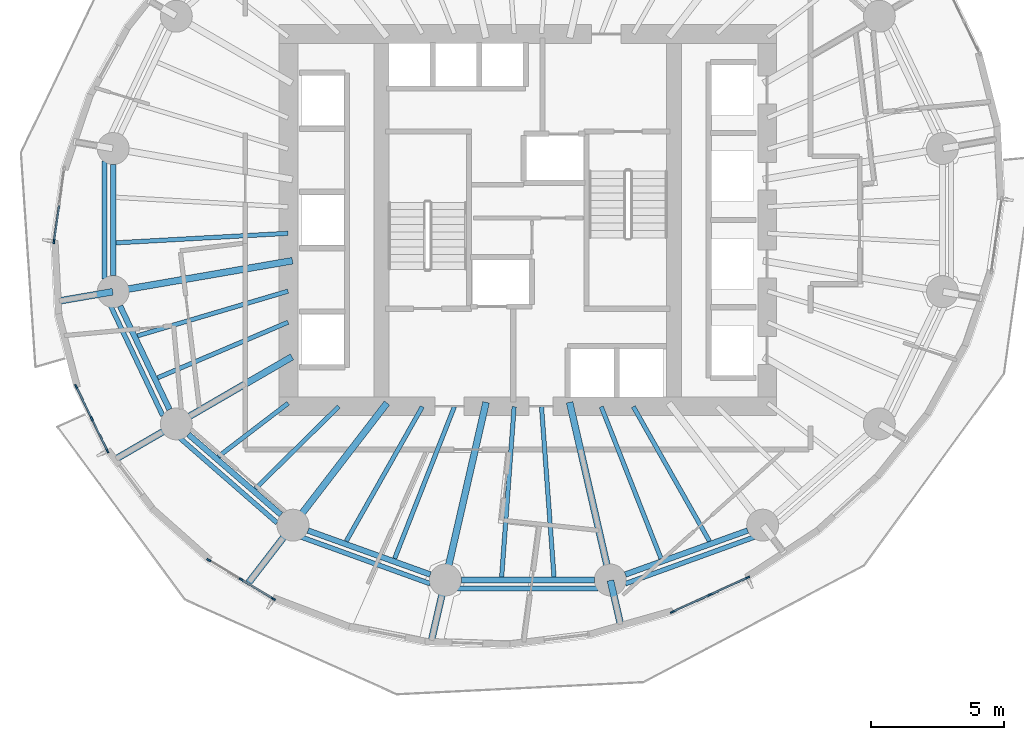
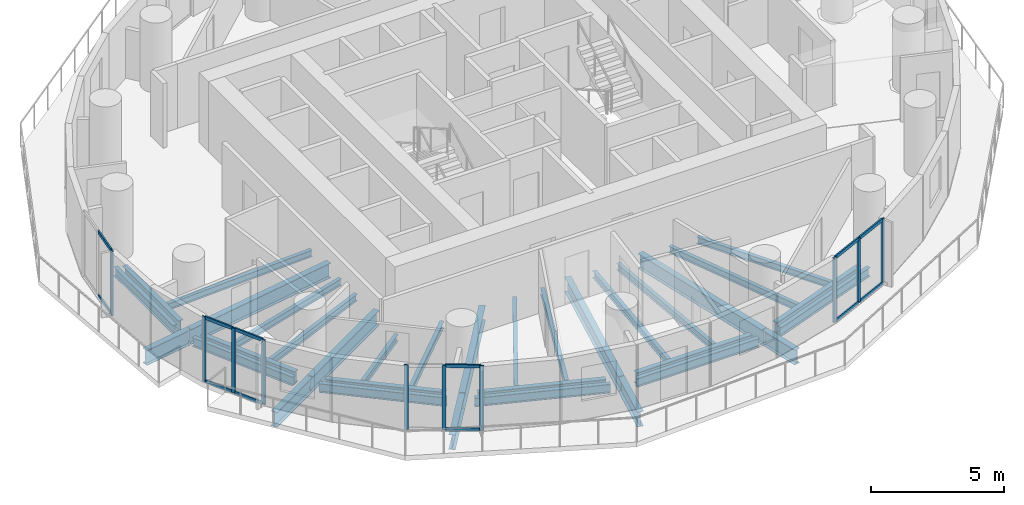
# One storey, part 2 of 14: 33 beams, 22 members, 4 elements without a shape of their own.
"""IFC4 building model written with IfcOpenShell, lengths in metres."""

from ifc_helpers import new_model, si_unit, direction, frame, origin, origin_2d, place, context, subcontext, project, spatial, rectangle, i_section, extrude, material, material_profile, profile_set, type_object, element, aggregate, save


model = new_model("IFC4")

# Units and contexts
model_context = context("Model", 3, precision=1e-05, world=origin(), true_north=direction((0.0, 1.0)))
body_context = subcontext(model_context, "Body", "Model", "MODEL_VIEW")
ifc_project = project(units=[si_unit("LENGTHUNIT", "METRE"), si_unit("AREAUNIT", "SQUARE_METRE"), si_unit("VOLUMEUNIT", "CUBIC_METRE"), si_unit("PLANEANGLEUNIT", "RADIAN"), si_unit("MASSUNIT", "GRAM", prefix="KILO")], contexts=[model_context])

# Site, building, storey
site_placement = place(None, origin())
site = spatial("IfcSite", under=ifc_project, at=site_placement, CompositionType="ELEMENT")
building_placement = place(site_placement, origin())
building = spatial("IfcBuilding", under=site, at=building_placement, Name="Veldorim Arch Residences", CompositionType="ELEMENT")
storey_placement = place(building_placement, frame((0.0, 0.0, 83.679931640625)))
storey = spatial("IfcBuildingStorey", under=building, at=storey_placement, Name="L24", CompositionType="ELEMENT", Elevation=83.679931640625)

# Beams
ifc_material_1 = material(Name="Steel S355", Category="steel")
ifc_material_profile_1 = material_profile(ifc_material_1, i_section(OverallWidth=0.2119140625, OverallDepth=0.54443359375, WebThickness=0.0126953125, FlangeThickness=0.021240234375, at=origin_2d()), Name="UB533x210x122")
ifc_profile_set_1 = profile_set([ifc_material_profile_1], Name="Steel S355")
beam_type_1 = type_object("IfcBeamType", Name="Structural Steel Beam UB533x210x122", PredefinedType="BEAM", material=ifc_profile_set_1)
beam_1_placement = place(storey_placement, frame((16.405517578125, 26.09228515625, -0.51220703125), z_axis=(0.0, -1.0, 0.0), x_axis=(1.0, 0.0, 0.0)))
element("IfcBeam", 1, at=beam_1_placement, inside=storey, type_object=beam_type_1, Name="L24 perimeter ring tie beam 08", PredefinedType="BEAM", context=body_context, shape_type="SweptSolid", body=[
    extrude(i_section(OverallWidth=0.2119140625, OverallDepth=0.54443359375, WebThickness=0.0126953125, FlangeThickness=0.021240234375, at=origin_2d()), origin(), (0.0, 0.0, 1.0), 4.1845703125),
])
beam_2_placement = place(storey_placement, frame((16.663818359375, 20.766357421875, -0.51220703125), z_axis=(0.430720154476, -0.902485539235, 0.0), x_axis=(0.902485539235, 0.430720154476, 0.0)))
element("IfcBeam", 2, at=beam_2_placement, inside=storey, type_object=beam_type_1, Name="L24 perimeter ring tie beam 09", PredefinedType="BEAM", context=body_context, shape_type="SweptSolid", body=[
    extrude(i_section(OverallWidth=0.2119140625, OverallDepth=0.54443359375, WebThickness=0.0126953125, FlangeThickness=0.021240234375, at=origin_2d()), origin(), (0.0, 0.0, 1.0), 4.312255859375),
])
beam_3_placement = place(storey_placement, frame((19.232666015625, 15.939697265625, -0.51220703125), z_axis=(0.755244952556, -0.655442645576, 0.0), x_axis=(0.655442645576, 0.755244952556, 0.0)))
element("IfcBeam", 3, at=beam_3_placement, inside=storey, type_object=beam_type_1, Name="L24 perimeter ring tie beam 10", PredefinedType="BEAM", context=body_context, shape_type="SweptSolid", body=[
    extrude(i_section(OverallWidth=0.2119140625, OverallDepth=0.54443359375, WebThickness=0.0126953125, FlangeThickness=0.021240234375, at=origin_2d()), origin(), (0.0, 0.0, 1.0), 4.608642578125),
])
beam_4_placement = place(storey_placement, frame((23.73095703125, 12.32275390625, -0.51220703125), z_axis=(0.941041944493, -0.338289903343, 0.0), x_axis=(0.338289903343, 0.941041944493, 0.0)))
element("IfcBeam", 4, at=beam_4_placement, inside=storey, type_object=beam_type_1, Name="L24 perimeter ring tie beam 11", PredefinedType="BEAM", context=body_context, shape_type="SweptSolid", body=[
    extrude(i_section(OverallWidth=0.2119140625, OverallDepth=0.54443359375, WebThickness=0.0126953125, FlangeThickness=0.021240234375, at=origin_2d()), origin(), (0.0, 0.0, 1.0), 4.890869140625),
])
beam_5_placement = place(storey_placement, frame((29.498046875, 10.465087890625, -0.51220703125), z_axis=(1.0, 0.0, 0.0), x_axis=(0.0, 1.0, 0.0)))
element("IfcBeam", 5, at=beam_5_placement, inside=storey, type_object=beam_type_1, Name="L24 perimeter ring tie beam 12", PredefinedType="BEAM", context=body_context, shape_type="SweptSolid", body=[
    extrude(i_section(OverallWidth=0.2119140625, OverallDepth=0.54443359375, WebThickness=0.0126953125, FlangeThickness=0.021240234375, at=origin_2d()), origin(), (0.0, 0.0, 1.0), 5.00390625),
])
beam_6_placement = place(storey_placement, frame((35.66650390625, 10.668212890625, -0.51220703125), z_axis=(0.941041944493, 0.338289903343, 0.0), x_axis=(-0.338289903343, 0.941041944493, 0.0)))
element("IfcBeam", 6, at=beam_6_placement, inside=storey, type_object=beam_type_1, Name="L24 perimeter ring tie beam 13", PredefinedType="BEAM", context=body_context, shape_type="SweptSolid", body=[
    extrude(i_section(OverallWidth=0.2119140625, OverallDepth=0.54443359375, WebThickness=0.0126953125, FlangeThickness=0.021240234375, at=origin_2d()), origin(), (0.0, 0.0, 1.0), 4.890869140625),
])
ifc_material_2 = material(Name="Steel S355", Category="steel")
ifc_material_profile_2 = material_profile(ifc_material_2, i_section(OverallWidth=0.25439453125, OverallDepth=0.6875, WebThickness=0.01318359375, FlangeThickness=0.02099609375, at=origin_2d()), Name="UB686x254x152")
ifc_profile_set_2 = profile_set([ifc_material_profile_2], Name="Steel S355")
beam_type_2 = type_object("IfcBeamType", Name="Structural Steel GIRDER UB686x254x152", PredefinedType="USERDEFINED", material=ifc_profile_set_2)
beam_7_placement = place(storey_placement, frame((23.147705078125, 22.4716796875, -0.583740234375), z_axis=(-0.985426622718, -0.17010106184, 0.0), x_axis=(0.17010106184, -0.985426622718, 0.0)))
element("IfcBeam", 7, at=beam_7_placement, inside=storey, type_object=beam_type_2, Name="L24 radial floor girder 09", ObjectType="GIRDER", PredefinedType="USERDEFINED", context=body_context, shape_type="SweptSolid", body=[
    extrude(i_section(OverallWidth=0.25439453125, OverallDepth=0.6875, WebThickness=0.01318359375, FlangeThickness=0.02099609375, at=origin_2d()), origin(), (0.0, 0.0, 1.0), 6.82177734375),
])
beam_8_placement = place(storey_placement, frame((16.3857421875, 21.304443359375, -0.583740234375), z_axis=(-0.985423467948, -0.170119336988, 0.0), x_axis=(0.170119336988, -0.985423467948, 0.0)))
element("IfcBeam", 8, at=beam_8_placement, inside=storey, type_object=beam_type_2, Name="L24 radial edge cantilever girder 09", ObjectType="GIRDER", PredefinedType="USERDEFINED", context=body_context, shape_type="SweptSolid", body=[
    extrude(i_section(OverallWidth=0.25439453125, OverallDepth=0.6875, WebThickness=0.01318359375, FlangeThickness=0.02099609375, at=origin_2d()), origin(), (0.0, 0.0, 1.0), 2.11669921875),
])
beam_9_placement = place(storey_placement, frame((23.1298828125, 18.85595703125, -0.583740234375), z_axis=(-0.865048957682, -0.501687453314, 0.0), x_axis=(0.501687453314, -0.865048957682, 0.0)))
element("IfcBeam", 9, at=beam_9_placement, inside=storey, type_object=beam_type_2, Name="L24 radial floor girder 10", ObjectType="GIRDER", PredefinedType="USERDEFINED", context=body_context, shape_type="SweptSolid", body=[
    extrude(i_section(OverallWidth=0.25439453125, OverallDepth=0.6875, WebThickness=0.01318359375, FlangeThickness=0.02099609375, at=origin_2d()), origin(), (0.0, 0.0, 1.0), 5.009033203125),
])
beam_10_placement = place(storey_placement, frame((18.76220703125, 16.322998046875, -0.583740234375), z_axis=(-0.865063665573, -0.501662091956, 0.0), x_axis=(0.501662091956, -0.865063665573, 0.0)))
element("IfcBeam", 10, at=beam_10_placement, inside=storey, type_object=beam_type_2, Name="L24 radial edge cantilever girder 10", ObjectType="GIRDER", PredefinedType="USERDEFINED", context=body_context, shape_type="SweptSolid", body=[
    extrude(i_section(OverallWidth=0.25439453125, OverallDepth=0.6875, WebThickness=0.01318359375, FlangeThickness=0.02099609375, at=origin_2d()), origin(), (0.0, 0.0, 1.0), 2.67529296875),
])
beam_11_placement = place(storey_placement, frame((26.702392578125, 17.118896484375, -0.583740234375), z_axis=(-0.609994628196, -0.792405548676, 0.0), x_axis=(0.792405548676, -0.609994628196, 0.0)))
element("IfcBeam", 11, at=beam_11_placement, inside=storey, type_object=beam_type_2, Name="L24 radial floor girder 11", ObjectType="GIRDER", PredefinedType="USERDEFINED", context=body_context, shape_type="SweptSolid", body=[
    extrude(i_section(OverallWidth=0.25439453125, OverallDepth=0.6875, WebThickness=0.01318359375, FlangeThickness=0.02099609375, at=origin_2d()), origin(), (0.0, 0.0, 1.0), 5.776611328125),
])
beam_12_placement = place(storey_placement, frame((23.154296875, 12.510009765625, -0.583740234375), z_axis=(-0.610003108496, -0.792399020459, 0.0), x_axis=(0.792399020459, -0.610003108496, 0.0)))
element("IfcBeam", 12, at=beam_12_placement, inside=storey, type_object=beam_type_2, Name="L24 radial edge cantilever girder 11", ObjectType="GIRDER", PredefinedType="USERDEFINED", context=body_context, shape_type="SweptSolid", body=[
    extrude(i_section(OverallWidth=0.25439453125, OverallDepth=0.6875, WebThickness=0.01318359375, FlangeThickness=0.02099609375, at=origin_2d()), origin(), (0.0, 0.0, 1.0), 2.743896484375),
])
beam_13_placement = place(storey_placement, frame((30.42919921875, 17.146240234375, -0.583740234375), z_axis=(-0.223374742148, -0.97473264261, 0.0), x_axis=(0.97473264261, -0.223374742148, 0.0)))
element("IfcBeam", 13, at=beam_13_placement, inside=storey, type_object=beam_type_2, Name="L24 radial floor girder 12", ObjectType="GIRDER", PredefinedType="USERDEFINED", context=body_context, shape_type="SweptSolid", body=[
    extrude(i_section(OverallWidth=0.25439453125, OverallDepth=0.6875, WebThickness=0.01318359375, FlangeThickness=0.02099609375, at=origin_2d()), origin(), (0.0, 0.0, 1.0), 6.834228515625),
])
beam_14_placement = place(storey_placement, frame((28.8935546875, 10.44580078125, -0.583740234375), z_axis=(-0.223325717101, -0.974743876145, 0.0), x_axis=(0.974743876145, -0.223325717101, 0.0)))
element("IfcBeam", 14, at=beam_14_placement, inside=storey, type_object=beam_type_2, Name="L24 radial edge cantilever girder 12", ObjectType="GIRDER", PredefinedType="USERDEFINED", context=body_context, shape_type="SweptSolid", body=[
    extrude(i_section(OverallWidth=0.25439453125, OverallDepth=0.6875, WebThickness=0.01318359375, FlangeThickness=0.02099609375, at=origin_2d()), origin(), (0.0, 0.0, 1.0), 2.395263671875),
])
beam_15_placement = place(storey_placement, frame((33.57080078125, 17.146240234375, -0.583740234375), z_axis=(0.223374742148, -0.97473264261, 0.0), x_axis=(0.97473264261, 0.223374742148, 0.0)))
element("IfcBeam", 15, at=beam_15_placement, inside=storey, type_object=beam_type_2, Name="L24 radial floor girder 13", ObjectType="GIRDER", PredefinedType="USERDEFINED", context=body_context, shape_type="SweptSolid", body=[
    extrude(i_section(OverallWidth=0.25439453125, OverallDepth=0.6875, WebThickness=0.01318359375, FlangeThickness=0.02099609375, at=origin_2d()), origin(), (0.0, 0.0, 1.0), 6.834228515625),
])
beam_16_placement = place(storey_placement, frame((35.1064453125, 10.44580078125, -0.583740234375), z_axis=(0.223398006298, -0.974727310986, 0.0), x_axis=(0.974727310986, 0.223398006298, 0.0)))
element("IfcBeam", 16, at=beam_16_placement, inside=storey, type_object=beam_type_2, Name="L24 radial edge cantilever girder 13", ObjectType="GIRDER", PredefinedType="USERDEFINED", context=body_context, shape_type="SweptSolid", body=[
    extrude(i_section(OverallWidth=0.25439453125, OverallDepth=0.6875, WebThickness=0.01318359375, FlangeThickness=0.02099609375, at=origin_2d()), origin(), (0.0, 0.0, 1.0), 1.769287109375),
])
ifc_material_3 = material(Name="Steel S355", Category="steel")
ifc_material_profile_3 = material_profile(ifc_material_3, i_section(OverallWidth=0.165771484375, OverallDepth=0.306640625, WebThickness=0.006591796875, FlangeThickness=0.01171875, at=origin_2d()), Name="UB305x165x46")
ifc_profile_set_3 = profile_set([ifc_material_profile_3], Name="Steel S355")
beam_type_3 = type_object("IfcBeamType", Name="Structural Steel Joist UB305x165x46", PredefinedType="JOIST", material=ifc_profile_set_3)
beam_17_placement = place(storey_placement, frame((22.97998046875, 23.501708984375, -0.393310546875), z_axis=(-0.99847713097, -0.055167190702, 0.0), x_axis=(0.055167190702, -0.99847713097, 0.0)))
element("IfcBeam", 17, at=beam_17_placement, inside=storey, type_object=beam_type_3, Name="L24 secondary radial floor joist 08-2", PredefinedType="JOIST", context=body_context, shape_type="SweptSolid", body=[
    extrude(i_section(OverallWidth=0.165771484375, OverallDepth=0.306640625, WebThickness=0.006591796875, FlangeThickness=0.01171875, at=origin_2d()), origin(), (0.0, 0.0, 1.0), 6.474365234375),
])
beam_18_placement = place(storey_placement, frame((22.980712890625, 21.326416015625, -0.393310546875), z_axis=(-0.958753061488, -0.284240333324, 0.0), x_axis=(0.284240333324, -0.958753061488, 0.0)))
element("IfcBeam", 18, at=beam_18_placement, inside=storey, type_object=beam_type_3, Name="L24 secondary radial floor joist 09-1", PredefinedType="JOIST", context=body_context, shape_type="SweptSolid", body=[
    extrude(i_section(OverallWidth=0.165771484375, OverallDepth=0.306640625, WebThickness=0.006591796875, FlangeThickness=0.01171875, at=origin_2d()), origin(), (0.0, 0.0, 1.0), 5.906005859375),
])
beam_19_placement = place(storey_placement, frame((22.981689453125, 20.158447265625, -0.393310546875), z_axis=(-0.919997395122, -0.391924473552, 0.0), x_axis=(0.391924473552, -0.919997395122, 0.0)))
element("IfcBeam", 19, at=beam_19_placement, inside=storey, type_object=beam_type_3, Name="L24 secondary radial floor joist 09-2", PredefinedType="JOIST", context=body_context, shape_type="SweptSolid", body=[
    extrude(i_section(OverallWidth=0.165771484375, OverallDepth=0.306640625, WebThickness=0.006591796875, FlangeThickness=0.01171875, at=origin_2d()), origin(), (0.0, 0.0, 1.0), 5.334716796875),
])
beam_20_placement = place(storey_placement, frame((22.984130859375, 17.111572265625, -0.393310546875), z_axis=(-0.794594763594, -0.60714014994, 0.0), x_axis=(0.60714014994, -0.794594763594, 0.0)))
element("IfcBeam", 20, at=beam_20_placement, inside=storey, type_object=beam_type_3, Name="L24 secondary radial floor joist 10-1", PredefinedType="JOIST", context=body_context, shape_type="SweptSolid", body=[
    extrude(i_section(OverallWidth=0.165771484375, OverallDepth=0.306640625, WebThickness=0.006591796875, FlangeThickness=0.01171875, at=origin_2d()), origin(), (0.0, 0.0, 1.0), 3.30419921875),
])
beam_21_placement = place(storey_placement, frame((24.885986328125, 16.986083984375, -0.393310546875), z_axis=(-0.712111629941, -0.702066255066, 0.0), x_axis=(0.702066255066, -0.712111629941, 0.0)))
element("IfcBeam", 21, at=beam_21_placement, inside=storey, type_object=beam_type_3, Name="L24 secondary radial floor joist 10-2", PredefinedType="JOIST", context=body_context, shape_type="SweptSolid", body=[
    extrude(i_section(OverallWidth=0.165771484375, OverallDepth=0.306640625, WebThickness=0.006591796875, FlangeThickness=0.01171875, at=origin_2d()), origin(), (0.0, 0.0, 1.0), 4.39892578125),
])
beam_22_placement = place(storey_placement, frame((28.03173828125, 16.982666015625, -0.393310546875), z_axis=(-0.492227411199, -0.870466642476, 0.0), x_axis=(0.870466642476, -0.492227411199, 0.0)))
element("IfcBeam", 22, at=beam_22_placement, inside=storey, type_object=beam_type_3, Name="L24 secondary radial floor joist 11-1", PredefinedType="JOIST", context=body_context, shape_type="SweptSolid", body=[
    extrude(i_section(OverallWidth=0.165771484375, OverallDepth=0.306640625, WebThickness=0.006591796875, FlangeThickness=0.01171875, at=origin_2d()), origin(), (0.0, 0.0, 1.0), 5.81494140625),
])
beam_23_placement = place(storey_placement, frame((29.238037109375, 16.9814453125, -0.393310546875), z_axis=(-0.366194870364, -0.930538186707, 0.0), x_axis=(0.930538186707, -0.366194870364, 0.0)))
element("IfcBeam", 23, at=beam_23_placement, inside=storey, type_object=beam_type_3, Name="L24 secondary radial floor joist 11-2", PredefinedType="JOIST", context=body_context, shape_type="SweptSolid", body=[
    extrude(i_section(OverallWidth=0.165771484375, OverallDepth=0.306640625, WebThickness=0.006591796875, FlangeThickness=0.01171875, at=origin_2d()), origin(), (0.0, 0.0, 1.0), 6.1396484375),
])
for number, where, z_axis, x_axis, name in (
    (24, (31.485107421875, 16.97998046875, -0.393310546875), (-0.073143494169, -0.997321427254, 0.0), (0.997321427254, -0.073143494169, 0.0), "L24 secondary radial floor joist 12-1"),
    (25, (32.514892578125, 16.97998046875, -0.393310546875), (0.073143494169, -0.997321427254, 0.0), (0.997321427254, 0.073143494169, 0.0), "L24 secondary radial floor joist 12-2"),
):
    element("IfcBeam", number, at=place(storey_placement, frame(where, z_axis=z_axis, x_axis=x_axis)), inside=storey, type_object=beam_type_3, Name=name, PredefinedType="JOIST", context=body_context, shape_type="SweptSolid", body=[
        extrude(i_section(OverallWidth=0.165771484375, OverallDepth=0.306640625, WebThickness=0.006591796875, FlangeThickness=0.01171875, at=origin_2d()), origin(), (0.0, 0.0, 1.0), 6.421875),
    ])
beam_24_placement = place(storey_placement, frame((34.761962890625, 16.9814453125, -0.393310546875), z_axis=(0.366194870364, -0.930538186707, 0.0), x_axis=(0.930538186707, 0.366194870364, 0.0)))
element("IfcBeam", 26, at=beam_24_placement, inside=storey, type_object=beam_type_3, Name="L24 secondary radial floor joist 13-1", PredefinedType="JOIST", context=body_context, shape_type="SweptSolid", body=[
    extrude(i_section(OverallWidth=0.165771484375, OverallDepth=0.306640625, WebThickness=0.006591796875, FlangeThickness=0.01171875, at=origin_2d()), origin(), (0.0, 0.0, 1.0), 6.1396484375),
])
beam_25_placement = place(storey_placement, frame((35.96826171875, 16.982666015625, -0.393310546875), z_axis=(0.492227411199, -0.870466642476, 0.0), x_axis=(0.870466642476, 0.492227411199, 0.0)))
element("IfcBeam", 27, at=beam_25_placement, inside=storey, type_object=beam_type_3, Name="L24 secondary radial floor joist 13-2", PredefinedType="JOIST", context=body_context, shape_type="SweptSolid", body=[
    extrude(i_section(OverallWidth=0.165771484375, OverallDepth=0.306640625, WebThickness=0.006591796875, FlangeThickness=0.01171875, at=origin_2d()), origin(), (0.0, 0.0, 1.0), 5.81494140625),
])
ifc_material_4 = material(Name="Steel S355", Category="steel")
ifc_material_profile_4 = material_profile(ifc_material_4, i_section(OverallWidth=0.1787109375, OverallDepth=0.409423828125, WebThickness=0.0087890625, FlangeThickness=0.014404296875, at=origin_2d()), Name="UB406x178x67")
ifc_profile_set_4 = profile_set([ifc_material_profile_4], Name="Steel S355")
beam_type_4 = type_object("IfcBeamType", Name="Structural Steel Spandrel UB406x178x67", PredefinedType="SPANDREL", material=ifc_profile_set_4)
beam_26_placement = place(storey_placement, frame((16.080322265625, 26.22021484375, -0.464599609375), z_axis=(0.0, -1.0, 0.0), x_axis=(1.0, 0.0, 0.0)))
element("IfcBeam", 28, at=beam_26_placement, inside=storey, type_object=beam_type_4, Name="L24 perimeter chord spandrel beam 08", PredefinedType="SPANDREL", context=body_context, shape_type="SweptSolid", body=[
    extrude(i_section(OverallWidth=0.1787109375, OverallDepth=0.409423828125, WebThickness=0.0087890625, FlangeThickness=0.014404296875, at=origin_2d()), origin(), (0.0, 0.0, 1.0), 4.4404296875),
])
beam_27_placement = place(storey_placement, frame((16.306884765625, 20.774658203125, -0.464599609375), z_axis=(0.428857472204, -0.903372165021, 0.0), x_axis=(0.903372165021, 0.428857472204, 0.0)))
element("IfcBeam", 29, at=beam_27_placement, inside=storey, type_object=beam_type_4, Name="L24 perimeter chord spandrel beam 09", PredefinedType="SPANDREL", context=body_context, shape_type="SweptSolid", body=[
    extrude(i_section(OverallWidth=0.1787109375, OverallDepth=0.409423828125, WebThickness=0.0087890625, FlangeThickness=0.014404296875, at=origin_2d()), origin(), (0.0, 0.0, 1.0), 4.572021484375),
])
beam_28_placement = place(storey_placement, frame((18.891845703125, 15.8203125, -0.464599609375), z_axis=(0.753323239074, -0.65765043714, 0.0), x_axis=(0.65765043714, 0.753323239074, 0.0)))
element("IfcBeam", 30, at=beam_28_placement, inside=storey, type_object=beam_type_4, Name="L24 perimeter chord spandrel beam 10", PredefinedType="SPANDREL", context=body_context, shape_type="SweptSolid", body=[
    extrude(i_section(OverallWidth=0.1787109375, OverallDepth=0.409423828125, WebThickness=0.0087890625, FlangeThickness=0.014404296875, at=origin_2d()), origin(), (0.0, 0.0, 1.0), 4.879150390625),
])
beam_29_placement = place(storey_placement, frame((23.461669921875, 12.08447265625, -0.464599609375), z_axis=(0.940307501418, -0.340326024244, 0.0), x_axis=(0.340326024244, 0.940307501418, 0.0)))
element("IfcBeam", 31, at=beam_29_placement, inside=storey, type_object=beam_type_4, Name="L24 perimeter chord spandrel beam 11", PredefinedType="SPANDREL", context=body_context, shape_type="SweptSolid", body=[
    extrude(i_section(OverallWidth=0.1787109375, OverallDepth=0.409423828125, WebThickness=0.0087890625, FlangeThickness=0.014404296875, at=origin_2d()), origin(), (0.0, 0.0, 1.0), 5.175048828125),
])
beam_30_placement = place(storey_placement, frame((29.352294921875, 10.1435546875, -0.464599609375), z_axis=(1.0, 0.0, 0.0), x_axis=(0.0, 1.0, 0.0)))
element("IfcBeam", 32, at=beam_30_placement, inside=storey, type_object=beam_type_4, Name="L24 perimeter chord spandrel beam 12", PredefinedType="SPANDREL", context=body_context, shape_type="SweptSolid", body=[
    extrude(i_section(OverallWidth=0.1787109375, OverallDepth=0.409423828125, WebThickness=0.0087890625, FlangeThickness=0.014404296875, at=origin_2d()), origin(), (0.0, 0.0, 1.0), 5.29541015625),
])
beam_31_placement = place(storey_placement, frame((35.672119140625, 10.3232421875, -0.464599609375), z_axis=(0.940307501418, 0.340326024244, 0.0), x_axis=(-0.340326024244, 0.940307501418, 0.0)))
element("IfcBeam", 33, at=beam_31_placement, inside=storey, type_object=beam_type_4, Name="L24 perimeter chord spandrel beam 13", PredefinedType="SPANDREL", context=body_context, shape_type="SweptSolid", body=[
    extrude(i_section(OverallWidth=0.1787109375, OverallDepth=0.409423828125, WebThickness=0.0087890625, FlangeThickness=0.014404296875, at=origin_2d()), origin(), (0.0, 0.0, 1.0), 5.175048828125),
])

# Curtain wall, member
ifc_material_5 = material(Name="Aluminium", Category="aluminium")
curtain_wall_type = type_object("IfcCurtainWallType", Name="Zone 2 Solar-Control Unitised Curtain Wall", PredefinedType="NOTDEFINED", material=ifc_material_5)
curtain_wall_1_placement = place(storey_placement, origin())
curtain_wall_1 = element("IfcCurtainWall", 34, at=curtain_wall_1_placement, inside=storey, type_object=curtain_wall_type, Name="L24 unitised curtain wall bay 16", PredefinedType="NOTDEFINED")
ifc_material_6 = material(Name="Aluminium", Category="aluminium")
ifc_material_profile_5 = material_profile(ifc_material_6, rectangle(XDim=0.06494140625, YDim=0.1650390625, at=origin_2d()), Name="ALU_MUL_65x165")
ifc_profile_set_5 = profile_set([ifc_material_profile_5], Name="Aluminium")
member_type_1 = type_object("IfcMemberType", Name="Zone 2 Solar-Control Unitised Curtain Wall Mullion 65x165", PredefinedType="MULLION", material=ifc_profile_set_5)
member_1_placement = place(storey_placement, frame((14.1767578125, 23.197998046875, 0.0), z_axis=(0.0, 0.0, 1.0), x_axis=(-0.990070536302, 0.140571452105, 0.0)))
member_1 = element("IfcMember", 35, at=member_1_placement, type_object=member_type_1, Name="CW-Z2 mullion 1", PredefinedType="MULLION", context=body_context, shape_type="SweptSolid", body=[
    extrude(rectangle(XDim=0.06494140625, YDim=0.1650390625, at=origin_2d()), origin(), (0.0, 0.0, 1.0), 2.9599609375),
])

# Curtain wall, members
curtain_wall_2_placement = place(storey_placement, origin())
curtain_wall_2 = element("IfcCurtainWall", 36, at=curtain_wall_2_placement, inside=storey, type_object=curtain_wall_type, Name="L24 unitised curtain wall bay 19", PredefinedType="NOTDEFINED")
member_2_placement = place(storey_placement, frame((16.18701171875, 15.315673828125, 0.0), z_axis=(0.0, 0.0, 1.0), x_axis=(-0.89943933332, -0.437045633403, 0.0)))
member_2 = element("IfcMember", 37, at=member_2_placement, type_object=member_type_1, Name="CW-Z2 mullion 1", PredefinedType="MULLION", context=body_context, shape_type="SweptSolid", body=[
    extrude(rectangle(XDim=0.06494140625, YDim=0.1650390625, at=origin_2d()), origin(), (0.0, 0.0, 1.0), 2.9599609375),
])
member_3_placement = place(storey_placement, frame((15.598388671875, 16.526611328125, 0.0), z_axis=(0.0, 0.0, 1.0), x_axis=(-0.89943933332, -0.437045633403, 0.0)))
member_3 = element("IfcMember", 38, at=member_3_placement, type_object=member_type_1, Name="CW-Z2 mullion 2", PredefinedType="MULLION", context=body_context, shape_type="SweptSolid", body=[
    extrude(rectangle(XDim=0.06494140625, YDim=0.1650390625, at=origin_2d()), origin(), (0.0, 0.0, 1.0), 2.9599609375),
])
member_4_placement = place(storey_placement, frame((15.010009765625, 17.737548828125, 0.0), z_axis=(0.0, 0.0, 1.0), x_axis=(-0.89943933332, -0.437045633403, 0.0)))
member_4 = element("IfcMember", 39, at=member_4_placement, type_object=member_type_1, Name="CW-Z2 mullion 3", PredefinedType="MULLION", context=body_context, shape_type="SweptSolid", body=[
    extrude(rectangle(XDim=0.06494140625, YDim=0.1650390625, at=origin_2d()), origin(), (0.0, 0.0, 1.0), 2.9599609375),
])

curtain_wall_3_placement = place(storey_placement, origin())
curtain_wall_3 = element("IfcCurtainWall", 40, at=curtain_wall_3_placement, inside=storey, type_object=curtain_wall_type, Name="L24 unitised curtain wall bay 22", PredefinedType="NOTDEFINED")
member_5_placement = place(storey_placement, frame((22.430908203125, 9.755126953125, 0.0), z_axis=(0.0, 0.0, 1.0), x_axis=(-0.514313089023, -0.857602499098, 0.0)))
member_5 = element("IfcMember", 41, at=member_5_placement, type_object=member_type_1, Name="CW-Z2 mullion 1", PredefinedType="MULLION", context=body_context, shape_type="SweptSolid", body=[
    extrude(rectangle(XDim=0.06494140625, YDim=0.1650390625, at=origin_2d()), origin(), (0.0, 0.0, 1.0), 2.9599609375),
])
member_6_placement = place(storey_placement, frame((21.2158203125, 10.483642578125, 0.0), z_axis=(0.0, 0.0, 1.0), x_axis=(-0.514313089023, -0.857602499098, 0.0)))
member_6 = element("IfcMember", 42, at=member_6_placement, type_object=member_type_1, Name="CW-Z2 mullion 2", PredefinedType="MULLION", context=body_context, shape_type="SweptSolid", body=[
    extrude(rectangle(XDim=0.06494140625, YDim=0.1650390625, at=origin_2d()), origin(), (0.0, 0.0, 1.0), 2.9599609375),
])
member_7_placement = place(storey_placement, frame((20.0009765625, 11.21240234375, 0.0), z_axis=(0.0, 0.0, 1.0), x_axis=(-0.514313089023, -0.857602499098, 0.0)))
member_7 = element("IfcMember", 43, at=member_7_placement, type_object=member_type_1, Name="CW-Z2 mullion 3", PredefinedType="MULLION", context=body_context, shape_type="SweptSolid", body=[
    extrude(rectangle(XDim=0.06494140625, YDim=0.1650390625, at=origin_2d()), origin(), (0.0, 0.0, 1.0), 2.9599609375),
])

curtain_wall_4_placement = place(storey_placement, origin())
curtain_wall_4 = element("IfcCurtainWall", 44, at=curtain_wall_4_placement, inside=storey, type_object=curtain_wall_type, Name="L24 unitised curtain wall bay 28", PredefinedType="NOTDEFINED")
member_8_placement = place(storey_placement, frame((40.262451171875, 10.551025390625, 0.0), z_axis=(0.0, 0.0, 1.0), x_axis=(0.414741699201, -0.909939186399, 0.0)))
member_8 = element("IfcMember", 45, at=member_8_placement, type_object=member_type_1, Name="CW-Z2 mullion 1", PredefinedType="MULLION", context=body_context, shape_type="SweptSolid", body=[
    extrude(rectangle(XDim=0.06494140625, YDim=0.1650390625, at=origin_2d()), origin(), (0.0, 0.0, 1.0), 2.9599609375),
])
member_9_placement = place(storey_placement, frame((38.85009765625, 9.9072265625, 0.0), z_axis=(0.0, 0.0, 1.0), x_axis=(0.414741699201, -0.909939186399, 0.0)))
member_9 = element("IfcMember", 46, at=member_9_placement, type_object=member_type_1, Name="CW-Z2 mullion 2", PredefinedType="MULLION", context=body_context, shape_type="SweptSolid", body=[
    extrude(rectangle(XDim=0.06494140625, YDim=0.1650390625, at=origin_2d()), origin(), (0.0, 0.0, 1.0), 2.9599609375),
])
member_10_placement = place(storey_placement, frame((37.437744140625, 9.263427734375, 0.0), z_axis=(0.0, 0.0, 1.0), x_axis=(0.414741699201, -0.909939186399, 0.0)))
member_10 = element("IfcMember", 47, at=member_10_placement, type_object=member_type_1, Name="CW-Z2 mullion 3", PredefinedType="MULLION", context=body_context, shape_type="SweptSolid", body=[
    extrude(rectangle(XDim=0.06494140625, YDim=0.1650390625, at=origin_2d()), origin(), (0.0, 0.0, 1.0), 2.9599609375),
])

# Member
ifc_material_7 = material(Name="Aluminium", Category="aluminium")
ifc_material_profile_6 = material_profile(ifc_material_7, rectangle(XDim=0.06494140625, YDim=0.14501953125, at=origin_2d()), Name="ALU_TRN_65x145")
ifc_profile_set_6 = profile_set([ifc_material_profile_6], Name="Aluminium")
member_type_2 = type_object("IfcMemberType", Name="Zone 2 Solar-Control Unitised Curtain Wall Transom 65x145", PredefinedType="USERDEFINED", material=ifc_profile_set_6)
member_11_placement = place(storey_placement, frame((14.18115234375, 23.230224609375, 0.032470703125), z_axis=(0.140644069109, 0.990060223332, 0.0), x_axis=(-0.990060223332, 0.140644069109, 0.0)))
member_11 = element("IfcMember", 48, at=member_11_placement, type_object=member_type_2, Name="CW-Z2 transom 1.1", ObjectType="TRANSOM", PredefinedType="USERDEFINED", context=body_context, shape_type="SweptSolid", body=[
    extrude(rectangle(XDim=0.06494140625, YDim=0.14501953125, at=origin_2d()), origin(), (0.0, 0.0, 1.0), 1.3193359375),
])

member_12_placement = place(storey_placement, frame((14.18115234375, 23.230224609375, 2.927490234375), z_axis=(0.140644069109, 0.990060223332, 0.0), x_axis=(-0.990060223332, 0.140644069109, 0.0)))
member_12 = element("IfcMember", 49, at=member_12_placement, type_object=member_type_2, Name="CW-Z2 transom 1.2", ObjectType="TRANSOM", PredefinedType="USERDEFINED", context=body_context, shape_type="SweptSolid", body=[
    extrude(rectangle(XDim=0.06494140625, YDim=0.14501953125, at=origin_2d()), origin(), (0.0, 0.0, 1.0), 1.3193359375),
])

aggregate(curtain_wall_1, [member_1, member_11, member_12])

member_13_placement = place(storey_placement, frame((16.172607421875, 15.344970703125, 0.032470703125), z_axis=(-0.436970043232, 0.899476059335, 0.0), x_axis=(-0.899476059335, -0.436970043232, 0.0)))
member_13 = element("IfcMember", 50, at=member_13_placement, type_object=member_type_2, Name="CW-Z2 transom 1.1", ObjectType="TRANSOM", PredefinedType="USERDEFINED", context=body_context, shape_type="SweptSolid", body=[
    extrude(rectangle(XDim=0.06494140625, YDim=0.14501953125, at=origin_2d()), origin(), (0.0, 0.0, 1.0), 1.281005859375),
])

member_14_placement = place(storey_placement, frame((16.172607421875, 15.344970703125, 2.927490234375), z_axis=(-0.436970043232, 0.899476059335, 0.0), x_axis=(-0.899476059335, -0.436970043232, 0.0)))
member_14 = element("IfcMember", 51, at=member_14_placement, type_object=member_type_2, Name="CW-Z2 transom 1.2", ObjectType="TRANSOM", PredefinedType="USERDEFINED", context=body_context, shape_type="SweptSolid", body=[
    extrude(rectangle(XDim=0.06494140625, YDim=0.14501953125, at=origin_2d()), origin(), (0.0, 0.0, 1.0), 1.281005859375),
])

member_15_placement = place(storey_placement, frame((15.584228515625, 16.555908203125, 0.032470703125), z_axis=(-0.436970043232, 0.899476059335, 0.0), x_axis=(-0.899476059335, -0.436970043232, 0.0)))
member_15 = element("IfcMember", 52, at=member_15_placement, type_object=member_type_2, Name="CW-Z2 transom 2.1", ObjectType="TRANSOM", PredefinedType="USERDEFINED", context=body_context, shape_type="SweptSolid", body=[
    extrude(rectangle(XDim=0.06494140625, YDim=0.14501953125, at=origin_2d()), origin(), (0.0, 0.0, 1.0), 1.281005859375),
])

member_16_placement = place(storey_placement, frame((15.584228515625, 16.555908203125, 2.927490234375), z_axis=(-0.436970043232, 0.899476059335, 0.0), x_axis=(-0.899476059335, -0.436970043232, 0.0)))
member_16 = element("IfcMember", 53, at=member_16_placement, type_object=member_type_2, Name="CW-Z2 transom 2.2", ObjectType="TRANSOM", PredefinedType="USERDEFINED", context=body_context, shape_type="SweptSolid", body=[
    extrude(rectangle(XDim=0.06494140625, YDim=0.14501953125, at=origin_2d()), origin(), (0.0, 0.0, 1.0), 1.281005859375),
])

aggregate(curtain_wall_2, [member_2, member_3, member_4, member_13, member_14, member_15, member_16])

member_17_placement = place(storey_placement, frame((22.403076171875, 9.771728515625, 0.032470703125), z_axis=(-0.857604444173, 0.514309845653, 0.0), x_axis=(-0.514309845653, -0.857604444173, 0.0)))
member_17 = element("IfcMember", 54, at=member_17_placement, type_object=member_type_2, Name="CW-Z2 transom 1.1", ObjectType="TRANSOM", PredefinedType="USERDEFINED", context=body_context, shape_type="SweptSolid", body=[
    extrude(rectangle(XDim=0.06494140625, YDim=0.14501953125, at=origin_2d()), origin(), (0.0, 0.0, 1.0), 1.35205078125),
])

member_18_placement = place(storey_placement, frame((22.403076171875, 9.771728515625, 2.927490234375), z_axis=(-0.857604444173, 0.514309845653, 0.0), x_axis=(-0.514309845653, -0.857604444173, 0.0)))
member_18 = element("IfcMember", 55, at=member_18_placement, type_object=member_type_2, Name="CW-Z2 transom 1.2", ObjectType="TRANSOM", PredefinedType="USERDEFINED", context=body_context, shape_type="SweptSolid", body=[
    extrude(rectangle(XDim=0.06494140625, YDim=0.14501953125, at=origin_2d()), origin(), (0.0, 0.0, 1.0), 1.35205078125),
])

aggregate(curtain_wall_3, [member_5, member_6, member_7, member_17, member_18])

member_19_placement = place(storey_placement, frame((40.23291015625, 10.537353515625, 0.032470703125), z_axis=(-0.909966885457, -0.414680922364, 0.0), x_axis=(0.414680922364, -0.909966885457, 0.0)))
member_19 = element("IfcMember", 56, at=member_19_placement, type_object=member_type_2, Name="CW-Z2 transom 1.1", ObjectType="TRANSOM", PredefinedType="USERDEFINED", context=body_context, shape_type="SweptSolid", body=[
    extrude(rectangle(XDim=0.06494140625, YDim=0.14501953125, at=origin_2d()), origin(), (0.0, 0.0, 1.0), 1.487060546875),
])

member_20_placement = place(storey_placement, frame((40.23291015625, 10.537353515625, 2.927490234375), z_axis=(-0.909966885457, -0.414680922364, 0.0), x_axis=(0.414680922364, -0.909966885457, 0.0)))
member_20 = element("IfcMember", 57, at=member_20_placement, type_object=member_type_2, Name="CW-Z2 transom 1.2", ObjectType="TRANSOM", PredefinedType="USERDEFINED", context=body_context, shape_type="SweptSolid", body=[
    extrude(rectangle(XDim=0.06494140625, YDim=0.14501953125, at=origin_2d()), origin(), (0.0, 0.0, 1.0), 1.487060546875),
])

member_21_placement = place(storey_placement, frame((38.820556640625, 9.8935546875, 0.032470703125), z_axis=(-0.909966885457, -0.414680922364, 0.0), x_axis=(0.414680922364, -0.909966885457, 0.0)))
member_21 = element("IfcMember", 58, at=member_21_placement, type_object=member_type_2, Name="CW-Z2 transom 2.1", ObjectType="TRANSOM", PredefinedType="USERDEFINED", context=body_context, shape_type="SweptSolid", body=[
    extrude(rectangle(XDim=0.06494140625, YDim=0.14501953125, at=origin_2d()), origin(), (0.0, 0.0, 1.0), 1.487060546875),
])

member_22_placement = place(storey_placement, frame((38.820556640625, 9.8935546875, 2.927490234375), z_axis=(-0.909966885457, -0.414680922364, 0.0), x_axis=(0.414680922364, -0.909966885457, 0.0)))
member_22 = element("IfcMember", 59, at=member_22_placement, type_object=member_type_2, Name="CW-Z2 transom 2.2", ObjectType="TRANSOM", PredefinedType="USERDEFINED", context=body_context, shape_type="SweptSolid", body=[
    extrude(rectangle(XDim=0.06494140625, YDim=0.14501953125, at=origin_2d()), origin(), (0.0, 0.0, 1.0), 1.487060546875),
])

aggregate(curtain_wall_4, [member_8, member_9, member_10, member_19, member_20, member_21, member_22])

save(model, "model.ifc")
